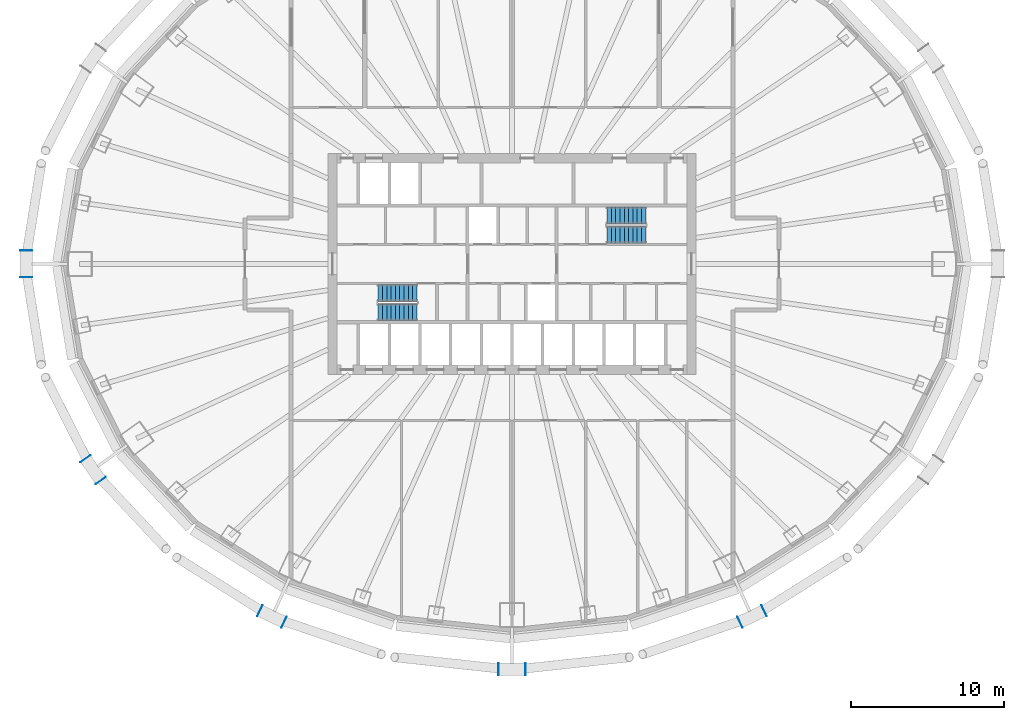
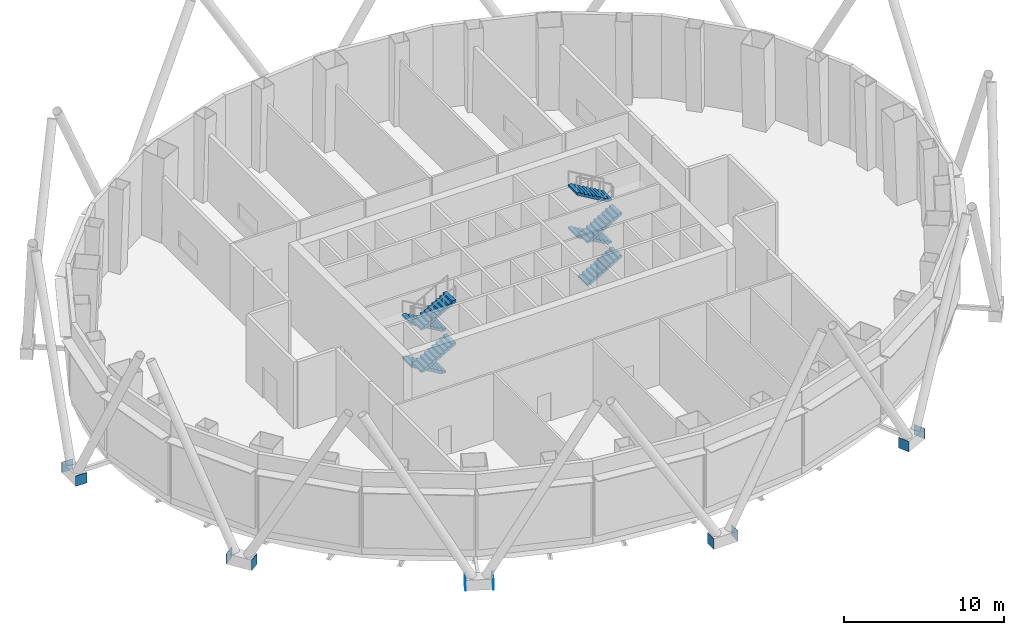
# One storey, part 7 of 13: 10 discrete accessories, 8 stair flights, 2 elements without a shape of their own.
"""IFC4 building model written with IfcOpenShell, lengths in metres."""

import ifcopenshell
import ifcopenshell.guid

model = None  # the IFC model being written
_history = None  # IfcOwnerHistory: only IFC2X3 demands one
_inside = {}  # id of a spatial element -> (the spatial element, [elements in it])
_under = {}  # id of a project, library or spatial element -> (it, [spatial elements below it])
_declared = {}  # id of a project -> (the project, [libraries it declares])
_typed = {}  # id of a type object -> (the type object, [elements of that type])
_made_of = {}  # id of a material, layer set ... -> (it, [elements and type objects made of it])


def new_model(schema):
    """Start an empty IFC model of exactly this schema.

    Asked for "IFC4X3", IfcOpenShell would pick the latest addendum, in which some entities
    have other attributes; the version numbers below select the first issue.
    IFC2X3 requires an IfcOwnerHistory on every rooted entity: one is made here for all.
    """
    global model, _history
    if schema == "IFC4X3":
        model = ifcopenshell.file(schema_version=(4, 3, 0, 0))
    else:
        model = ifcopenshell.file(schema=schema)
    _inside.clear()
    _under.clear()
    _declared.clear()
    _typed.clear()
    _made_of.clear()
    _history = None
    if model.schema == "IFC2X3":
        org = make("IfcOrganization", Name="unknown")
        user = make(
            "IfcPersonAndOrganization",
            ThePerson=make("IfcPerson", FamilyName="unknown"),
            TheOrganization=org,
        )
        app = make(
            "IfcApplication",
            ApplicationDeveloper=org,
            Version="unknown",
            ApplicationFullName="unknown",
            ApplicationIdentifier="unknown",
        )
        _history = make(
            "IfcOwnerHistory",
            OwningUser=user,
            OwningApplication=app,
            ChangeAction="ADDED",
            CreationDate=0,
        )
    return model


def make(cls, **values):
    """One entity of the class cls with the attributes given. An attribute that is None is left unset."""
    return model.create_entity(
        cls, **{name: value for name, value in values.items() if value is not None}
    )


def rooted(cls, **values):
    """An entity with a GlobalId (a new one), such as an element, a storey or a relation."""
    return make(cls, GlobalId=ifcopenshell.guid.new(), OwnerHistory=_history, **values)


def si_unit(unit_type, name, prefix=None):
    """IfcSIUnit, for example si_unit("LENGTHUNIT", "METRE", prefix="MILLI")."""
    return make("IfcSIUnit", UnitType=unit_type, Prefix=prefix, Name=name)


def assignment(units):
    """IfcUnitAssignment: the units of a project."""
    return None if units is None else make("IfcUnitAssignment", Units=units)


def point(xyz):
    """IfcCartesianPoint."""
    return None if xyz is None else make("IfcCartesianPoint", Coordinates=xyz)


def direction(xyz):
    """IfcDirection."""
    return None if xyz is None else make("IfcDirection", DirectionRatios=xyz)


def frame(location, z_axis=None, x_axis=None):
    """IfcAxis2Placement3D, a coordinate frame: its origin and axes. An axis left out is left unset."""
    return make(
        "IfcAxis2Placement3D",
        Location=point(location),
        Axis=direction(z_axis),
        RefDirection=direction(x_axis),
    )


def frame_2d(location, x_axis=None):
    """IfcAxis2Placement2D, a coordinate frame in the plane: its origin and x axis."""
    return make(
        "IfcAxis2Placement2D", Location=point(location), RefDirection=direction(x_axis)
    )


def origin():
    """The frame at (0, 0, 0) with its axes left unset."""
    return frame((0.0, 0.0, 0.0))


def origin_2d():
    """The frame at (0, 0) in the plane with its x axis left unset."""
    return frame_2d((0.0, 0.0))


def place(relative_to, where):
    """IfcLocalPlacement: puts the frame where relative to a parent placement (None: the world)."""
    return make(
        "IfcLocalPlacement", PlacementRelTo=relative_to, RelativePlacement=where
    )


def context(
    kind, dimensions, precision=None, world=None, true_north=None, identifier=None
):
    """IfcGeometricRepresentationContext, for example the 3D "Model" context."""
    return make(
        "IfcGeometricRepresentationContext",
        ContextIdentifier=identifier,
        ContextType=kind,
        CoordinateSpaceDimension=dimensions,
        Precision=precision,
        WorldCoordinateSystem=world,
        TrueNorth=true_north,
    )


def subcontext(parent, identifier, kind, view, scale=None):
    """IfcGeometricRepresentationSubContext, for example "Body" below "Model"."""
    return make(
        "IfcGeometricRepresentationSubContext",
        ContextIdentifier=identifier,
        ContextType=kind,
        ParentContext=parent,
        TargetScale=scale,
        TargetView=view,
    )


def project(units=None, contexts=None):
    """IfcProject with its units and contexts."""
    return rooted(
        "IfcProject",
        Name="project",
        RepresentationContexts=contexts,
        UnitsInContext=assignment(units),
    )


def spatial(cls, under=None, at=None, **own):
    """A site, building, storey or space (cls), placed at a placement, below another one or the project."""
    s = rooted(cls, ObjectPlacement=at, **own)
    if under is not None:
        _under.setdefault(under.id(), (under, []))[1].append(s)
    return s


def polyline(points):
    """IfcPolyline through the points."""
    return make("IfcPolyline", Points=[point(p) for p in points])


def profile(cls, at=None, kind="AREA", **sizes):
    """A parametric profile (cls). Its sizes go by their IFC names, for example OverallWidth=200.0."""
    return make(cls, ProfileType=kind, Position=at, **sizes)


def rectangle(**sizes):
    """IfcRectangleProfileDef."""
    return profile("IfcRectangleProfileDef", **sizes)


def outline(outer, holes=None, kind="AREA"):
    """IfcArbitraryClosedProfileDef: a profile drawn as a closed curve; with holes, ...WithVoids."""
    if holes is None:
        return make("IfcArbitraryClosedProfileDef", ProfileType=kind, OuterCurve=outer)
    return make(
        "IfcArbitraryProfileDefWithVoids",
        ProfileType=kind,
        OuterCurve=outer,
        InnerCurves=holes,
    )


def extrude(swept, where, along, depth):
    """IfcExtrudedAreaSolid: the profile swept, set in the frame where, extruded along a direction by depth."""
    return make(
        "IfcExtrudedAreaSolid",
        SweptArea=swept,
        Position=where,
        ExtrudedDirection=direction(along),
        Depth=depth,
    )


def shape(context_of_items, identifier, shape_type, items):
    """IfcShapeRepresentation: the items that make up one representation, for example the "Body"."""
    return make(
        "IfcShapeRepresentation",
        ContextOfItems=context_of_items,
        RepresentationIdentifier=identifier,
        RepresentationType=shape_type,
        Items=items,
    )


def material(Name=None, Category=None):
    """IfcMaterial."""
    return make("IfcMaterial", Name=Name, Category=Category)


def layer(
    of_material, thickness, ventilated=None, Name=None, Category=None, Priority=None
):
    """IfcMaterialLayer: one layer of a wall or slab, of a material (None: an air gap)."""
    return make(
        "IfcMaterialLayer",
        Material=of_material,
        LayerThickness=thickness,
        IsVentilated=ventilated,
        Name=Name,
        Category=Category,
        Priority=Priority,
    )


def layer_set(layers, Name=None):
    """IfcMaterialLayerSet."""
    return make("IfcMaterialLayerSet", MaterialLayers=layers, LayerSetName=Name)


def made_of(thing, what):
    """Note that an element or type object is made of a material, layer set ...; save() writes the relation."""
    if what is not None:
        _made_of.setdefault(what.id(), (what, []))[1].append(thing)
    return thing


def type_object(cls, material=None, **own):
    """A type object (cls), such as IfcWallType, which elements share."""
    return made_of(rooted(cls, **own), material)


def element(
    cls,
    number,
    at=None,
    inside=None,
    cuts=None,
    type_object=None,
    material=None,
    context=None,
    identifier="Body",
    shape_type=None,
    held_by="IfcProductDefinitionShape",
    body=None,
    shapes=None,
    **own,
):
    """One element of the class cls, such as IfcWall. Its Tag is "e" and its number.

    at: its placement. inside: the storey or other place that contains it. cuts: it is an
    opening in that element (IfcRelVoidsElement). A single representation is given by context,
    identifier, shape_type and body (its items); several are given by shapes. held_by: the class
    of the entity that holds the representations. save() writes the other relations.
    """
    e = rooted(cls, Tag="e%d" % number, ObjectPlacement=at, **own)
    if body is not None:
        shapes = [shape(context, identifier, shape_type, body)]
    if shapes is not None:
        e.Representation = make(held_by, Representations=shapes)
    if inside is not None:
        _inside.setdefault(inside.id(), (inside, []))[1].append(e)
    if cuts is not None:
        rooted(
            "IfcRelVoidsElement", RelatingBuildingElement=cuts, RelatedOpeningElement=e
        )
    if type_object is not None:
        _typed.setdefault(type_object.id(), (type_object, []))[1].append(e)
    return made_of(e, material)


def aggregate(whole, parts):
    """IfcRelAggregates: a whole, such as a stair, and the parts it consists of."""
    return rooted("IfcRelAggregates", RelatingObject=whole, RelatedObjects=parts)


def save(model, path):
    """Write the relations noted so far, then the file.

    IfcRelAggregates (storeys below a building ...), IfcRelContainedInSpatialStructure (elements
    in a storey), IfcRelDefinesByType, IfcRelAssociatesMaterial and IfcRelDeclares: one each for
    every whole, place, type object, material and project.
    """
    for whole, parts in _under.values():
        aggregate(whole, parts)
    for where, things in _inside.values():
        rooted(
            "IfcRelContainedInSpatialStructure",
            RelatedElements=things,
            RelatingStructure=where,
        )
    for kind, things in _typed.values():
        rooted("IfcRelDefinesByType", RelatedObjects=things, RelatingType=kind)
    for what, things in _made_of.values():
        rooted("IfcRelAssociatesMaterial", RelatedObjects=things, RelatingMaterial=what)
    for by, libraries in _declared.values():
        rooted("IfcRelDeclares", RelatingContext=by, RelatedDefinitions=libraries)
    model.write(path)


model = new_model("IFC4")

# Units and contexts
model_context = context("Model", 3, precision=1e-05, world=origin(), true_north=direction((0.0, 1.0)))
body_context = subcontext(model_context, "Body", "Model", "MODEL_VIEW")
ifc_project = project(units=[si_unit("LENGTHUNIT", "METRE"), si_unit("AREAUNIT", "SQUARE_METRE"), si_unit("VOLUMEUNIT", "CUBIC_METRE"), si_unit("PLANEANGLEUNIT", "RADIAN"), si_unit("MASSUNIT", "GRAM", prefix="KILO")], contexts=[model_context])

# Site, building, storey
site_placement = place(None, origin())
site = spatial("IfcSite", under=ifc_project, at=site_placement, CompositionType="ELEMENT")
building_placement = place(site_placement, origin())
building = spatial("IfcBuilding", under=site, at=building_placement, Name="Siaravel Broadcast Tower", CompositionType="ELEMENT")
storey_placement = place(building_placement, frame((0.0, 0.0, 7.0)))
storey = spatial("IfcBuildingStorey", under=building, at=storey_placement, Name="L01", CompositionType="ELEMENT", Elevation=7.0)

# Stair, stair flights
ifc_material_1 = material(Name="Concrete C40/50", Category="concrete")
stair_type = type_object("IfcStairType", Name="Core exit stair", PredefinedType="HALF_TURN_STAIR", material=ifc_material_1)
stair_1_placement = place(storey_placement, origin())
stair_1 = element("IfcStair", 1, at=stair_1_placement, inside=storey, type_object=stair_type, Name="L01 Exit stair ST-1", PredefinedType="HALF_TURN_STAIR")
stair_flight_type = type_object("IfcStairFlightType", Name="Stair flight 1100", PredefinedType="STRAIGHT", material=ifc_material_1)
stair_flight_1_placement = place(storey_placement, frame((-6.199951171875, -1.89990234375, 0.0), z_axis=(0.0, 0.0, 1.0), x_axis=(-1.0, 0.0, 0.0)))
stair_flight_1 = element("IfcStairFlight", 2, at=stair_flight_1_placement, type_object=stair_flight_type, Name="ST-1 flight 1", NumberOfRisers=10, NumberOfTreads=9, PredefinedType="STRAIGHT", RiserHeight=0.1625, TreadLength=0.28, context=body_context, shape_type="SweptSolid", body=[
    extrude(outline(polyline([(0.0, 0.0), (0.0, 0.16259765625), (0.280029296875, 0.16259765625), (0.280029296875, 0.324951171875), (0.56005859375, 0.324951171875), (0.56005859375, 0.487548828125), (0.840087890625, 0.487548828125), (0.840087890625, 0.64990234375), (1.1201171875, 0.64990234375), (1.1201171875, 0.8125), (1.39990234375, 0.8125), (1.39990234375, 0.97509765625), (1.679931640625, 0.97509765625), (1.679931640625, 1.137451171875), (1.9599609375, 1.137451171875), (1.9599609375, 1.300048828125), (2.239990234375, 1.300048828125), (2.239990234375, 1.46240234375), (2.52001953125, 1.46240234375), (2.52001953125, 1.625), (2.52001953125, 1.2890625), (0.298583984375, 0.0), (0.0, 0.0)])), frame((0.0, 0.550048828125, 0.0), z_axis=(0.0, -1.0, 0.0), x_axis=(1.0, 0.0, 0.0)), (0.0, 0.0, 1.0), 1.10009765625),
])
stair_flight_2_placement = place(storey_placement, frame((-8.719970703125, -3.14990234375, 1.625), z_axis=(0.0, 0.0, 1.0), x_axis=(1.0, 0.0, 0.0)))
stair_flight_2 = element("IfcStairFlight", 3, at=stair_flight_2_placement, type_object=stair_flight_type, Name="ST-1 flight 2", NumberOfRisers=10, NumberOfTreads=9, PredefinedType="STRAIGHT", RiserHeight=0.1625, TreadLength=0.28, context=body_context, shape_type="SweptSolid", body=[
    extrude(outline(polyline([(0.0, 0.0), (0.0, 0.16259765625), (0.280029296875, 0.16259765625), (0.280029296875, 0.324951171875), (0.56005859375, 0.324951171875), (0.56005859375, 0.487548828125), (0.840087890625, 0.487548828125), (0.840087890625, 0.64990234375), (1.1201171875, 0.64990234375), (1.1201171875, 0.8125), (1.39990234375, 0.8125), (1.39990234375, 0.97509765625), (1.679931640625, 0.97509765625), (1.679931640625, 1.137451171875), (1.9599609375, 1.137451171875), (1.9599609375, 1.300048828125), (2.239990234375, 1.300048828125), (2.239990234375, 1.46240234375), (2.52001953125, 1.46240234375), (2.52001953125, 1.625), (2.52001953125, 1.2890625), (0.298583984375, 0.0), (0.0, 0.0)])), frame((0.0, 0.550048828125, 0.0), z_axis=(0.0, -1.0, 0.0), x_axis=(1.0, 0.0, 0.0)), (0.0, 0.0, 1.0), 1.10009765625),
])
stair_flight_3_placement = place(storey_placement, frame((-6.199951171875, -1.89990234375, 3.25), z_axis=(0.0, 0.0, 1.0), x_axis=(-1.0, 0.0, 0.0)))
stair_flight_3 = element("IfcStairFlight", 4, at=stair_flight_3_placement, type_object=stair_flight_type, Name="ST-1 flight 3", NumberOfRisers=10, NumberOfTreads=9, PredefinedType="STRAIGHT", RiserHeight=0.1625, TreadLength=0.28, context=body_context, shape_type="SweptSolid", body=[
    extrude(outline(polyline([(0.0, 0.0), (0.0, 0.16259765625), (0.280029296875, 0.16259765625), (0.280029296875, 0.324951171875), (0.56005859375, 0.324951171875), (0.56005859375, 0.487548828125), (0.840087890625, 0.487548828125), (0.840087890625, 0.64990234375), (1.1201171875, 0.64990234375), (1.1201171875, 0.8125), (1.39990234375, 0.8125), (1.39990234375, 0.97509765625), (1.679931640625, 0.97509765625), (1.679931640625, 1.137451171875), (1.9599609375, 1.137451171875), (1.9599609375, 1.300048828125), (2.239990234375, 1.300048828125), (2.239990234375, 1.46240234375), (2.52001953125, 1.46240234375), (2.52001953125, 1.625), (2.52001953125, 1.2890625), (0.298583984375, 0.0), (0.0, 0.0)])), frame((0.0, 0.550048828125, 0.0), z_axis=(0.0, -1.0, 0.0), x_axis=(1.0, 0.0, 0.0)), (0.0, 0.0, 1.0), 1.10009765625),
])
stair_flight_4_placement = place(storey_placement, frame((-8.719970703125, -3.14990234375, 4.875), z_axis=(0.0, 0.0, 1.0), x_axis=(1.0, 0.0, 0.0)))
stair_flight_4 = element("IfcStairFlight", 5, at=stair_flight_4_placement, type_object=stair_flight_type, Name="ST-1 flight 4", NumberOfRisers=10, NumberOfTreads=9, PredefinedType="STRAIGHT", RiserHeight=0.1625, TreadLength=0.28, context=body_context, shape_type="SweptSolid", body=[
    extrude(outline(polyline([(0.0, 0.0), (0.0, 0.16259765625), (0.280029296875, 0.16259765625), (0.280029296875, 0.324951171875), (0.56005859375, 0.324951171875), (0.56005859375, 0.487548828125), (0.840087890625, 0.487548828125), (0.840087890625, 0.64990234375), (1.1201171875, 0.64990234375), (1.1201171875, 0.8125), (1.39990234375, 0.8125), (1.39990234375, 0.97509765625), (1.679931640625, 0.97509765625), (1.679931640625, 1.137451171875), (1.9599609375, 1.137451171875), (1.9599609375, 1.300048828125), (2.239990234375, 1.300048828125), (2.239990234375, 1.46240234375), (2.52001953125, 1.46240234375), (2.52001953125, 1.625), (2.52001953125, 1.2890625), (0.298583984375, 0.0), (0.0, 0.0)])), frame((0.0, 0.550048828125, 0.0), z_axis=(0.0, -1.0, 0.0), x_axis=(1.0, 0.0, 0.0)), (0.0, 0.0, 1.0), 1.10009765625),
])
aggregate(stair_1, [stair_flight_1, stair_flight_2, stair_flight_3, stair_flight_4])

stair_2_placement = place(storey_placement, origin())
stair_2 = element("IfcStair", 6, at=stair_2_placement, inside=storey, type_object=stair_type, Name="L01 Exit stair ST-2", PredefinedType="HALF_TURN_STAIR")
stair_flight_5_placement = place(storey_placement, frame((6.199951171875, 1.89990234375, 0.0), z_axis=(0.0, 0.0, 1.0), x_axis=(1.0, 0.0, 0.0)))
stair_flight_5 = element("IfcStairFlight", 7, at=stair_flight_5_placement, type_object=stair_flight_type, Name="ST-2 flight 1", NumberOfRisers=10, NumberOfTreads=9, PredefinedType="STRAIGHT", RiserHeight=0.1625, TreadLength=0.28, context=body_context, shape_type="SweptSolid", body=[
    extrude(outline(polyline([(0.0, 0.0), (0.0, 0.16259765625), (0.280029296875, 0.16259765625), (0.280029296875, 0.324951171875), (0.56005859375, 0.324951171875), (0.56005859375, 0.487548828125), (0.840087890625, 0.487548828125), (0.840087890625, 0.64990234375), (1.1201171875, 0.64990234375), (1.1201171875, 0.8125), (1.39990234375, 0.8125), (1.39990234375, 0.97509765625), (1.679931640625, 0.97509765625), (1.679931640625, 1.137451171875), (1.9599609375, 1.137451171875), (1.9599609375, 1.300048828125), (2.239990234375, 1.300048828125), (2.239990234375, 1.46240234375), (2.52001953125, 1.46240234375), (2.52001953125, 1.625), (2.52001953125, 1.2890625), (0.298583984375, 0.0), (0.0, 0.0)])), frame((0.0, 0.550048828125, 0.0), z_axis=(0.0, -1.0, 0.0), x_axis=(1.0, 0.0, 0.0)), (0.0, 0.0, 1.0), 1.10009765625),
])
stair_flight_6_placement = place(storey_placement, frame((8.719970703125, 3.14990234375, 1.625), z_axis=(0.0, 0.0, 1.0), x_axis=(-1.0, 0.0, 0.0)))
stair_flight_6 = element("IfcStairFlight", 8, at=stair_flight_6_placement, type_object=stair_flight_type, Name="ST-2 flight 2", NumberOfRisers=10, NumberOfTreads=9, PredefinedType="STRAIGHT", RiserHeight=0.1625, TreadLength=0.28, context=body_context, shape_type="SweptSolid", body=[
    extrude(outline(polyline([(0.0, 0.0), (0.0, 0.16259765625), (0.280029296875, 0.16259765625), (0.280029296875, 0.324951171875), (0.56005859375, 0.324951171875), (0.56005859375, 0.487548828125), (0.840087890625, 0.487548828125), (0.840087890625, 0.64990234375), (1.1201171875, 0.64990234375), (1.1201171875, 0.8125), (1.39990234375, 0.8125), (1.39990234375, 0.97509765625), (1.679931640625, 0.97509765625), (1.679931640625, 1.137451171875), (1.9599609375, 1.137451171875), (1.9599609375, 1.300048828125), (2.239990234375, 1.300048828125), (2.239990234375, 1.46240234375), (2.52001953125, 1.46240234375), (2.52001953125, 1.625), (2.52001953125, 1.2890625), (0.298583984375, 0.0), (0.0, 0.0)])), frame((0.0, 0.550048828125, 0.0), z_axis=(0.0, -1.0, 0.0), x_axis=(1.0, 0.0, 0.0)), (0.0, 0.0, 1.0), 1.10009765625),
])
stair_flight_7_placement = place(storey_placement, frame((6.199951171875, 1.89990234375, 3.25), z_axis=(0.0, 0.0, 1.0), x_axis=(1.0, 0.0, 0.0)))
stair_flight_7 = element("IfcStairFlight", 9, at=stair_flight_7_placement, type_object=stair_flight_type, Name="ST-2 flight 3", NumberOfRisers=10, NumberOfTreads=9, PredefinedType="STRAIGHT", RiserHeight=0.1625, TreadLength=0.28, context=body_context, shape_type="SweptSolid", body=[
    extrude(outline(polyline([(0.0, 0.0), (0.0, 0.16259765625), (0.280029296875, 0.16259765625), (0.280029296875, 0.324951171875), (0.56005859375, 0.324951171875), (0.56005859375, 0.487548828125), (0.840087890625, 0.487548828125), (0.840087890625, 0.64990234375), (1.1201171875, 0.64990234375), (1.1201171875, 0.8125), (1.39990234375, 0.8125), (1.39990234375, 0.97509765625), (1.679931640625, 0.97509765625), (1.679931640625, 1.137451171875), (1.9599609375, 1.137451171875), (1.9599609375, 1.300048828125), (2.239990234375, 1.300048828125), (2.239990234375, 1.46240234375), (2.52001953125, 1.46240234375), (2.52001953125, 1.625), (2.52001953125, 1.2890625), (0.298583984375, 0.0), (0.0, 0.0)])), frame((0.0, 0.550048828125, 0.0), z_axis=(0.0, -1.0, 0.0), x_axis=(1.0, 0.0, 0.0)), (0.0, 0.0, 1.0), 1.10009765625),
])
stair_flight_8_placement = place(storey_placement, frame((8.719970703125, 3.14990234375, 4.875), z_axis=(0.0, 0.0, 1.0), x_axis=(-1.0, 0.0, 0.0)))
stair_flight_8 = element("IfcStairFlight", 10, at=stair_flight_8_placement, type_object=stair_flight_type, Name="ST-2 flight 4", NumberOfRisers=10, NumberOfTreads=9, PredefinedType="STRAIGHT", RiserHeight=0.1625, TreadLength=0.28, context=body_context, shape_type="SweptSolid", body=[
    extrude(outline(polyline([(0.0, 0.0), (0.0, 0.16259765625), (0.280029296875, 0.16259765625), (0.280029296875, 0.324951171875), (0.56005859375, 0.324951171875), (0.56005859375, 0.487548828125), (0.840087890625, 0.487548828125), (0.840087890625, 0.64990234375), (1.1201171875, 0.64990234375), (1.1201171875, 0.8125), (1.39990234375, 0.8125), (1.39990234375, 0.97509765625), (1.679931640625, 0.97509765625), (1.679931640625, 1.137451171875), (1.9599609375, 1.137451171875), (1.9599609375, 1.300048828125), (2.239990234375, 1.300048828125), (2.239990234375, 1.46240234375), (2.52001953125, 1.46240234375), (2.52001953125, 1.625), (2.52001953125, 1.2890625), (0.298583984375, 0.0), (0.0, 0.0)])), frame((0.0, 0.550048828125, 0.0), z_axis=(0.0, -1.0, 0.0), x_axis=(1.0, 0.0, 0.0)), (0.0, 0.0, 1.0), 1.10009765625),
])
aggregate(stair_2, [stair_flight_5, stair_flight_6, stair_flight_7, stair_flight_8])

# Discrete accessories
ifc_material_2 = material(Name="Steel S355", Category="steel")
ifc_layer = layer(ifc_material_2, 0.02001953125)
ifc_layer_set = layer_set([ifc_layer], Name="Steel S355")
discrete_accessory_type = type_object("IfcDiscreteAccessoryType", Name="Steel end plate 20 mm", PredefinedType="USERDEFINED", material=ifc_layer_set)
for number, where, z_axis, x_axis, name in (
    (11, (-31.675048828125, -0.87060546875, -0.60009765625), (0.0, 0.0, 1.0), (0.0, -1.0, 0.0), "End plate R01 station 36A"),
    (12, (-31.675048828125, 0.87060546875, -0.60009765625), (0.0, 0.0, 1.0), (0.0, -1.0, 0.0), "End plate R01 station 36B"),
    (13, (-26.80322265625, -14.1171875, -0.60009765625), (0.0, 0.0, 1.0), (0.576118513, -0.817366172, 0.0), "End plate R01 station 42A"),
    (14, (-27.806396484375, -12.6943359375, -0.60009765625), (0.0, 0.0, 1.0), (0.576118513, -0.817366172, 0.0), "End plate R01 station 42B"),
    (15, (-14.862060546875, -23.34765625, -0.60009765625), (0.0, 0.0, 1.0), (0.904006456, -0.427518805, 0.0), "End plate R01 station 48A"),
    (16, (-16.435791015625, -22.603271484375, -0.60009765625), (0.0, 0.0, 1.0), (0.904006456, -0.427518805, 0.0), "End plate R01 station 48B"),
    (17, (0.87060546875, -26.415771484375, -0.60009765625), (0.0, 0.0, 1.0), (1.0, 0.0, 0.0), "End plate R01 station 54A"),
    (18, (-0.87060546875, -26.415771484375, -0.60009765625), (0.0, 0.0, 1.0), (1.0, 0.0, 0.0), "End plate R01 station 54B"),
    (19, (16.435791015625, -22.603271484375, -0.60009765625), (0.0, 0.0, 1.0), (0.904006456, 0.427518805, 0.0), "End plate R01 station 60A"),
    (20, (14.862060546875, -23.34765625, -0.60009765625), (0.0, 0.0, 1.0), (0.904006456, 0.427518805, 0.0), "End plate R01 station 60B"),
):
    element("IfcDiscreteAccessory", number, at=place(storey_placement, frame(where, z_axis=z_axis, x_axis=x_axis)), inside=storey, type_object=discrete_accessory_type, Name=name, ObjectType="END PLATE", PredefinedType="USERDEFINED", context=body_context, shape_type="SweptSolid", body=[
        extrude(rectangle(XDim=0.02001953125, YDim=0.800048828125, at=origin_2d()), origin(), (0.0, 0.0, 1.0), 0.800048828125),
    ])

save(model, "model.ifc")
